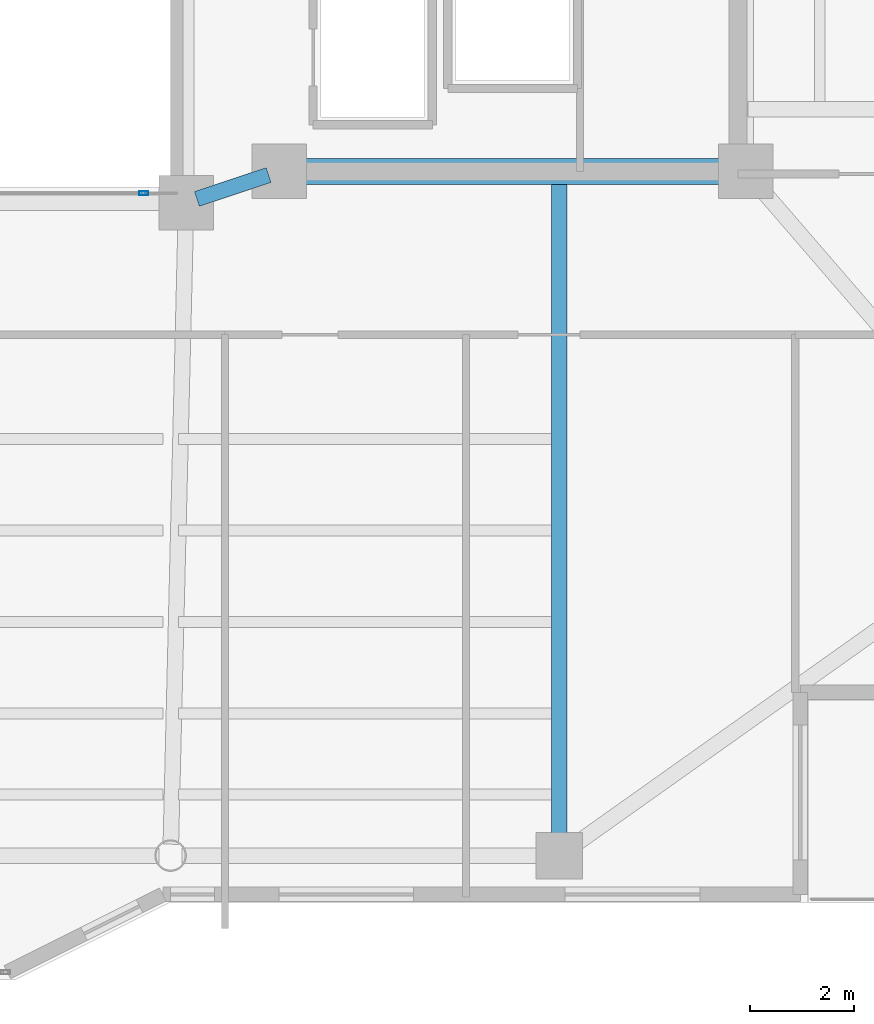
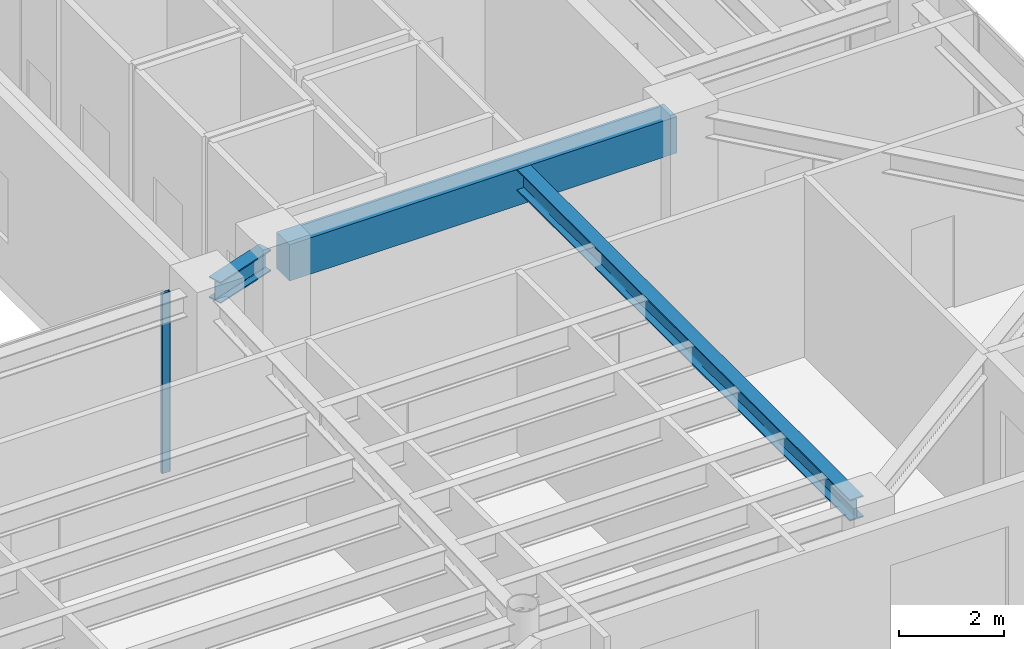
# One storey, part 12 of 33: 3 beams, 1 member, 1 element without a shape of its own.
"""IFC4 building model written with IfcOpenShell, lengths in metres."""

from ifc_helpers import new_model, si_unit, direction, frame, origin, origin_2d, place, context, subcontext, project, spatial, rectangle, hollow_rectangle, i_section, extrude, material, layer, layer_set, material_profile, profile_set, type_object, element, aggregate, save


model = new_model("IFC4")

# Units and contexts
model_context = context("Model", 3, precision=1e-05, world=origin(), true_north=direction((0.0, 1.0)))
body_context = subcontext(model_context, "Body", "Model", "MODEL_VIEW")
ifc_project = project(units=[si_unit("LENGTHUNIT", "METRE"), si_unit("AREAUNIT", "SQUARE_METRE"), si_unit("VOLUMEUNIT", "CUBIC_METRE"), si_unit("PLANEANGLEUNIT", "RADIAN"), si_unit("MASSUNIT", "GRAM", prefix="KILO")], contexts=[model_context])

# Site, building, storey
site_placement = place(None, origin())
site = spatial("IfcSite", under=ifc_project, at=site_placement, CompositionType="ELEMENT")
building_placement = place(site_placement, origin())
building = spatial("IfcBuilding", under=site, at=building_placement, Name="Tarnavaz Court Tower", CompositionType="ELEMENT")
storey_placement = place(building_placement, frame((0.0, 0.0, 177.300048828125)))
storey = spatial("IfcBuildingStorey", under=building, at=storey_placement, Name="L48", CompositionType="ELEMENT", Elevation=177.300048828125)

# Beams
ifc_material_1 = material(Name="Concrete C50/60", Category="concrete")
ifc_material_profile_1 = material_profile(ifc_material_1, rectangle(XDim=0.5, YDim=0.85009765625, at=origin_2d()), Name="RC 500X850")
ifc_profile_set_1 = profile_set([ifc_material_profile_1], Name="Concrete C50/60")
beam_type_1 = type_object("IfcBeamType", Name="BM-CB850", PredefinedType="LINTEL", material=ifc_profile_set_1)
beam_1_placement = place(storey_placement, frame((18.3798828125, -7.199951171875, 3.77490234375), z_axis=(-1.0, 0.0, 0.0), x_axis=(0.0, -1.0, 0.0)))
element("IfcBeam", 1, at=beam_1_placement, inside=storey, type_object=beam_type_1, Name="L48 Beam IN-CE-SO-CE-SI", PredefinedType="LINTEL", context=body_context, shape_type="SweptSolid", body=[
    extrude(rectangle(XDim=0.5, YDim=0.85009765625, at=origin_2d()), origin(), (0.0, 0.0, 1.0), 8.559814453125),
])
ifc_material_2 = material(Name="Steel S355", Category="steel")
ifc_material_profile_2 = material_profile(ifc_material_2, i_section(OverallWidth=0.300048828125, OverallDepth=0.5, WebThickness=0.014404296875, FlangeThickness=0.028076171875, FilletRadius=0.027099609375, at=origin_2d()), Name="HEB 500")
ifc_profile_set_2 = profile_set([ifc_material_profile_2], Name="Steel S355")
beam_type_2 = type_object("IfcBeamType", Name="BM-G-HEB500", PredefinedType="USERDEFINED", material=ifc_profile_set_2)
beam_2_placement = place(storey_placement, frame((9.391357421875, -7.26953125, 3.949951171875), z_axis=(-0.948666544706, -0.316278021615, 0.0), x_axis=(0.316278021615, -0.948666544706, 0.0)))
element("IfcBeam", 2, at=beam_2_placement, inside=storey, type_object=beam_type_2, Name="L48 Beam IN-CE-SI-IW-SE", ObjectType="GIRDER", PredefinedType="USERDEFINED", context=body_context, shape_type="SweptSolid", body=[
    extrude(i_section(OverallWidth=0.300048828125, OverallDepth=0.5, WebThickness=0.014404296875, FlangeThickness=0.028076171875, FilletRadius=0.027099609375, at=origin_2d()), origin(), (0.0, 0.0, 1.0), 1.457275390625),
])
beam_3_placement = place(storey_placement, frame((15.0, -7.239990234375, 3.949951171875), z_axis=(0.0, -1.0, 0.0), x_axis=(1.0, 0.0, 0.0)))
element("IfcBeam", 3, at=beam_3_placement, inside=storey, type_object=beam_type_2, Name="L48 Beam RG-08", ObjectType="GIRDER", PredefinedType="USERDEFINED", context=body_context, shape_type="SweptSolid", body=[
    extrude(i_section(OverallWidth=0.300048828125, OverallDepth=0.5, WebThickness=0.014404296875, FlangeThickness=0.028076171875, FilletRadius=0.027099609375, at=origin_2d()), origin(), (0.0, 0.0, 1.0), 12.93994140625),
])

# Curtain wall, member
ifc_material_3 = material(Name="Anodised Aluminium 6063-T6 and Solar Low-E Glazing", Category="aluminium")
ifc_layer = layer(ifc_material_3, 0.139892578125)
ifc_layer_set = layer_set([ifc_layer], Name="Anodised Aluminium 6063-T6 and Solar Low-E Glazing")
curtain_wall_type = type_object("IfcCurtainWallType", Name="CW-SYS-04", PredefinedType="NOTDEFINED", material=ifc_layer_set)
curtain_wall_placement = place(storey_placement, origin())
curtain_wall = element("IfcCurtainWall", 4, at=curtain_wall_placement, inside=storey, type_object=curtain_wall_type, Name="L48 Badgir Courtyard Curtain Wall S", PredefinedType="NOTDEFINED")
ifc_material_4 = material(Name="Anodised Aluminium 6063-T6", Category="aluminium")
ifc_material_profile_3 = material_profile(ifc_material_4, hollow_rectangle(XDim=0.074951171875, YDim=0.179931640625, WallThickness=0.0048828125, InnerFilletRadius=0.0048828125, OuterFilletRadius=0.010009765625, at=origin_2d()), Name="ALU RHS 180X75X5")
ifc_profile_set_3 = profile_set([ifc_material_profile_3], Name="Anodised Aluminium 6063-T6")
member_type = type_object("IfcMemberType", Name="CW-MUL-180", PredefinedType="MULLION", material=ifc_profile_set_3)
member_placement = place(storey_placement, frame((6.982421875, -7.6201171875, 0.0), z_axis=(0.0, 0.0, 1.0), x_axis=(0.0, 1.0, 0.0)))
member = element("IfcMember", 5, at=member_placement, type_object=member_type, Name="CW mullion 4", PredefinedType="MULLION", context=body_context, shape_type="SweptSolid", body=[
    extrude(hollow_rectangle(XDim=0.074951171875, YDim=0.179931640625, WallThickness=0.0048828125, InnerFilletRadius=0.0048828125, OuterFilletRadius=0.010009765625, at=origin_2d()), origin(), (0.0, 0.0, 1.0), 4.199951171875),
])
aggregate(curtain_wall, [member])

save(model, "model.ifc")
